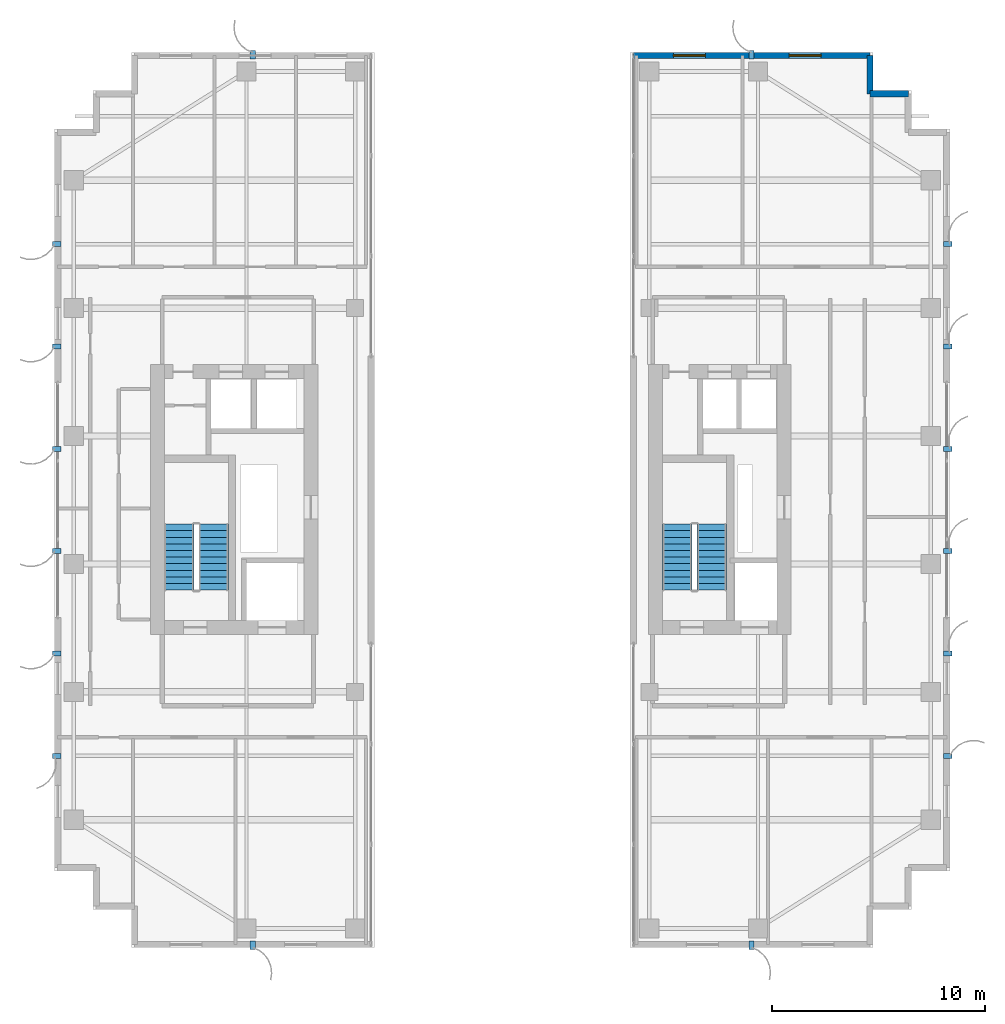
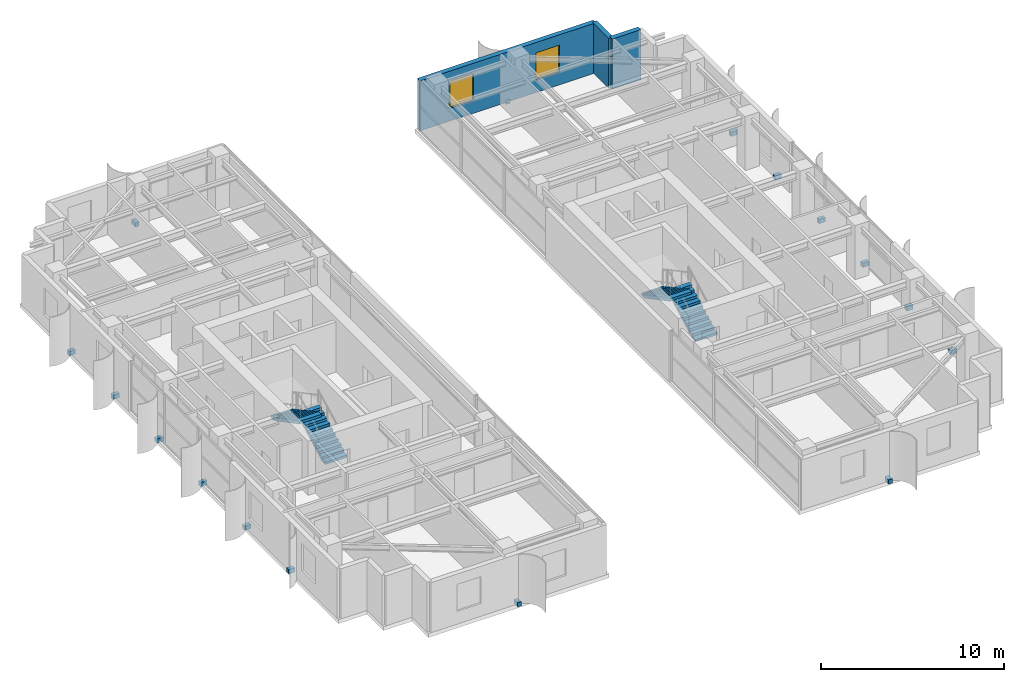
# One storey, part 19 of 22: 16 discrete accessories, 4 stair flights, 3 walls, 2 windows, 2 openings, 2 elements without a shape of their own.
"""IFC4 building model written with IfcOpenShell, lengths in metres."""

from ifc_helpers import new_model, si_unit, direction, frame, frame_2d, origin, origin_2d, place, context, subcontext, project, spatial, polyline, rectangle, outline, extrude, source, transform, mapped, material, layer, layer_set, type_object, element, fill, aggregate, save


model = new_model("IFC4")

# Units and contexts
model_context = context("Model", 3, precision=1e-05, world=origin(), true_north=direction((0.0, 1.0)))
body_context = subcontext(model_context, "Body", "Model", "MODEL_VIEW")
ifc_project = project(units=[si_unit("LENGTHUNIT", "METRE"), si_unit("AREAUNIT", "SQUARE_METRE"), si_unit("VOLUMEUNIT", "CUBIC_METRE"), si_unit("PLANEANGLEUNIT", "RADIAN"), si_unit("MASSUNIT", "GRAM", prefix="KILO")], contexts=[model_context])

# Site, building, storey
site_placement = place(None, origin())
site = spatial("IfcSite", under=ifc_project, at=site_placement, CompositionType="ELEMENT")
building_placement = place(site_placement, origin())
building = spatial("IfcBuilding", under=site, at=building_placement, Name="Khoralis Quay Care Tower", CompositionType="ELEMENT")
storey_placement = place(building_placement, frame((0.0, 0.0, 202.5)))
storey = spatial("IfcBuildingStorey", under=building, at=storey_placement, Name="L53", CompositionType="ELEMENT", Elevation=202.5)

# Walls
ifc_material_1 = material(Name="Precast concrete C45/55", Category="concrete")
ifc_layer = layer(ifc_material_1, 0.300048828125)
ifc_layer_set = layer_set([ifc_layer], Name="Precast concrete C45/55")
wall_type = type_object("IfcWallType", Name="WL-EXT-REF-300", PredefinedType="SOLIDWALL", material=ifc_layer_set)
for number, where, z_axis, x_axis, name in (
    (1, (43.050048828125, 40.050048828125, 0.0), (0.0, 0.0, 1.0), (-1.0, 0.0, 0.0), "L53 External Facade Wall WL-EXT-L53-P2-C8"),
    (2, (41.25, 40.050048828125, 0.0), (0.0, 0.0, 1.0), (0.0, 1.0, 0.0), "L53 External Facade Wall WL-EXT-L53-P2-C9"),
):
    element("IfcWall", number, at=place(storey_placement, frame(where, z_axis=z_axis, x_axis=x_axis)), inside=storey, type_object=wall_type, Name=name, PredefinedType="SOLIDWALL", context=body_context, shape_type="SweptSolid", body=[
        extrude(rectangle(XDim=1.800048828125, YDim=0.300048828125, at=frame_2d((0.89990234375, 0.0))), origin(), (0.0, 0.0, 1.0), 3.340087890625),
    ])

# Wall, openings, windows
wall_placement = place(storey_placement, frame((41.25, 41.85009765625, 0.0), z_axis=(0.0, 0.0, 1.0), x_axis=(-1.0, 0.0, 0.0)))
wall = element("IfcWall", 3, at=wall_placement, inside=storey, type_object=wall_type, Name="L53 External Facade Wall WL-EXT-L53-P2-E10", PredefinedType="SOLIDWALL", context=body_context, shape_type="SweptSolid", body=[
    extrude(rectangle(XDim=11.10009765625, YDim=0.300048828125, at=frame_2d((5.550048828125, 0.0))), origin(), (0.0, 0.0, 1.0), 3.340087890625),
])
opening_1_placement = place(wall_placement, frame((2.294921875, 0.0, 0.85009765625)))
opening_1 = element("IfcOpeningElement", 4, at=opening_1_placement, cuts=wall, Name="Opening W3", PredefinedType="OPENING", context=body_context, shape_type="SweptSolid", body=[
    extrude(rectangle(XDim=1.5, YDim=1.800048828125, at=frame_2d((0.75, 0.89990234375))), frame((0.0, 0.16015625, 0.0), z_axis=(0.0, -1.0, 0.0), x_axis=(1.0, 0.0, 0.0)), (0.0, 0.0, 1.0), 0.320068359375),
])
opening_2_placement = place(wall_placement, frame((7.719970703125, 0.0, 0.85009765625)))
opening_2 = element("IfcOpeningElement", 5, at=opening_2_placement, cuts=wall, Name="Opening W3", PredefinedType="OPENING", context=body_context, shape_type="SweptSolid", body=[
    extrude(rectangle(XDim=1.5, YDim=1.800048828125, at=frame_2d((0.75, 0.89990234375))), frame((0.0, 0.16015625, 0.0), z_axis=(0.0, -1.0, 0.0), x_axis=(1.0, 0.0, 0.0)), (0.0, 0.0, 1.0), 0.320068359375),
])
ifc_material_2 = material(Name="Low-E solar-control double glazing", Category="glass")
window_type = type_object("IfcWindowType", Name="WN-CLIN-1500X1800", PartitioningType="SINGLE_PANEL", PredefinedType="WINDOW", material=ifc_material_2)
shared_shape_1 = source(origin(), body_context, "Body", "SweptSolid", [
    extrude(rectangle(XDim=1.5, YDim=1.800048828125, at=frame_2d((0.75, 0.89990234375))), frame((0.0, 0.030029296875, 0.0), z_axis=(0.0, -1.0, 0.0), x_axis=(1.0, 0.0, 0.0)), (0.0, 0.0, 1.0), 0.06005859375),
])
window_1_placement = place(opening_1_placement, origin())
window_1 = element("IfcWindow", 6, at=window_1_placement, inside=storey, type_object=window_type, Name="WN-L53-P2-E10 Facade Window 01", OverallHeight=1.800048828125, OverallWidth=1.5, PartitioningType="SINGLE_PANEL", PredefinedType="WINDOW", context=body_context, shape_type="MappedRepresentation", body=[
    mapped(shared_shape_1, transform((0.0, 0.0, 0.0), scale=1.0)),
])
fill(opening_1, window_1)
window_2_placement = place(opening_2_placement, origin())
window_2 = element("IfcWindow", 7, at=window_2_placement, inside=storey, type_object=window_type, Name="WN-L53-P2-E10 Facade Window 02", OverallHeight=1.800048828125, OverallWidth=1.5, PartitioningType="SINGLE_PANEL", PredefinedType="WINDOW", context=body_context, shape_type="MappedRepresentation", body=[
    mapped(shared_shape_1, transform((0.0, 0.0, 0.0), scale=1.0)),
])
fill(opening_2, window_2)

# Stair, stair flights
stair_type = type_object("IfcStairType", Name="ST-TWR-DOGLEG-1400", PredefinedType="HALF_TURN_STAIR", material=ifc_material_1)
stair_1_placement = place(storey_placement, origin())
stair_1 = element("IfcStair", 8, at=stair_1_placement, inside=storey, type_object=stair_type, Name="L53 West Core Exit Stair ST-T1", PredefinedType="HALF_TURN_STAIR")
stair_flight_type = type_object("IfcStairFlightType", Name="SF-TWR-1400", PredefinedType="STRAIGHT", material=ifc_material_1)
shared_shape_2 = source(origin(), body_context, "Body", "SweptSolid", [
    extrude(outline(polyline([(0.0, 0.0), (0.0, 0.16357421875), (0.31005859375, 0.16357421875), (0.31005859375, 0.327392578125), (0.6201171875, 0.327392578125), (0.6201171875, 0.490966796875), (0.929931640625, 0.490966796875), (0.929931640625, 0.654541015625), (1.239990234375, 0.654541015625), (1.239990234375, 0.818115234375), (1.550048828125, 0.818115234375), (1.550048828125, 0.98193359375), (1.860107421875, 0.98193359375), (1.860107421875, 1.1455078125), (2.169921875, 1.1455078125), (2.169921875, 1.30908203125), (2.47998046875, 1.30908203125), (2.47998046875, 1.47265625), (2.7900390625, 1.47265625), (2.7900390625, 1.636474609375), (3.10009765625, 1.636474609375), (3.10009765625, 1.800048828125), (3.10009765625, 1.466796875), (0.321044921875, 0.0), (0.0, 0.0)])), frame((0.0, 0.68994140625, 0.0), z_axis=(0.0, -1.0, 0.0), x_axis=(1.0, 0.0, 0.0)), (0.0, 0.0, 1.0), 1.3798828125),
])
stair_flight_1_placement = place(storey_placement, frame((10.4599609375, 16.77001953125, 0.0), z_axis=(0.0, 0.0, 1.0), x_axis=(0.0, 1.0, 0.0)))
stair_flight_1 = element("IfcStairFlight", 9, at=stair_flight_1_placement, type_object=stair_flight_type, Name="ST-T1 flight 1", NumberOfRisers=11, NumberOfTreads=10, PredefinedType="STRAIGHT", RiserHeight=0.163636364, TreadLength=0.31, context=body_context, shape_type="MappedRepresentation", body=[
    mapped(shared_shape_2, transform((0.0, 0.0, 0.0), scale=1.0)),
])
stair_flight_2_placement = place(storey_placement, frame((8.840087890625, 19.8701171875, 1.800048828125), z_axis=(0.0, 0.0, 1.0), x_axis=(0.0, -1.0, 0.0)))
stair_flight_2 = element("IfcStairFlight", 10, at=stair_flight_2_placement, type_object=stair_flight_type, Name="ST-T1 flight 2", NumberOfRisers=11, NumberOfTreads=10, PredefinedType="STRAIGHT", RiserHeight=0.163636364, TreadLength=0.31, context=body_context, shape_type="MappedRepresentation", body=[
    mapped(shared_shape_2, transform((0.0, 0.0, 0.0), scale=1.0)),
])
aggregate(stair_1, [stair_flight_1, stair_flight_2])

stair_2_placement = place(storey_placement, origin())
stair_2 = element("IfcStair", 11, at=stair_2_placement, inside=storey, type_object=stair_type, Name="L53 East Core Exit Stair ST-T2", PredefinedType="HALF_TURN_STAIR")
stair_flight_3_placement = place(storey_placement, frame((33.830078125, 16.77001953125, 0.0), z_axis=(0.0, 0.0, 1.0), x_axis=(0.0, 1.0, 0.0)))
stair_flight_3 = element("IfcStairFlight", 12, at=stair_flight_3_placement, type_object=stair_flight_type, Name="ST-T2 flight 1", NumberOfRisers=11, NumberOfTreads=10, PredefinedType="STRAIGHT", RiserHeight=0.163636364, TreadLength=0.31, context=body_context, shape_type="MappedRepresentation", body=[
    mapped(shared_shape_2, transform((0.0, 0.0, 0.0), scale=1.0)),
])
stair_flight_4_placement = place(storey_placement, frame((32.2099609375, 19.8701171875, 1.800048828125), z_axis=(0.0, 0.0, 1.0), x_axis=(0.0, -1.0, 0.0)))
stair_flight_4 = element("IfcStairFlight", 13, at=stair_flight_4_placement, type_object=stair_flight_type, Name="ST-T2 flight 2", NumberOfRisers=11, NumberOfTreads=10, PredefinedType="STRAIGHT", RiserHeight=0.163636364, TreadLength=0.31, context=body_context, shape_type="MappedRepresentation", body=[
    mapped(shared_shape_2, transform((0.0, 0.0, 0.0), scale=1.0)),
])
aggregate(stair_2, [stair_flight_3, stair_flight_4])

# Discrete accessories
ifc_material_3 = material(Name="Brushed stainless steel", Category="steel")
discrete_accessory_type = type_object("IfcDiscreteAccessoryType", Name="ACC-FIN-BRACKET", PredefinedType="BRACKET", material=ifc_material_3)
shared_shape_3 = source(origin(), body_context, "Body", "SweptSolid", [
    extrude(rectangle(XDim=0.39990234375, YDim=0.239990234375, at=origin_2d()), origin(), (0.0, 0.0, 1.0), 0.280029296875),
])
for number, where, z_axis, x_axis, name in (
    (14, (12.300048828125, 0.110107421875, -0.1201171875), (0.0, 0.0, 1.0), (0.0, -1.0, 0.0), "L53 Solar Fin Bracket P1E0-01"),
    (15, (12.300048828125, 41.889892578125, -0.1201171875), (0.0, 0.0, 1.0), (0.0, 1.0, 0.0), "L53 Solar Fin Bracket P1E2-01"),
    (16, (3.110107421875, 33.0, -0.1201171875), (0.0, 0.0, 1.0), (-1.0, 0.0, 0.0), "L53 Solar Fin Bracket P1E7-01"),
    (17, (3.110107421875, 28.199951171875, -0.1201171875), (0.0, 0.0, 1.0), (-1.0, 0.0, 0.0), "L53 Solar Fin Bracket P1E7-02"),
    (18, (3.110107421875, 23.39990234375, -0.1201171875), (0.0, 0.0, 1.0), (-1.0, 0.0, 0.0), "L53 Solar Fin Bracket P1E7-03"),
    (19, (3.110107421875, 18.60009765625, -0.1201171875), (0.0, 0.0, 1.0), (-1.0, 0.0, 0.0), "L53 Solar Fin Bracket P1E7-04"),
    (20, (3.110107421875, 13.800048828125, -0.1201171875), (0.0, 0.0, 1.0), (-1.0, 0.0, 0.0), "L53 Solar Fin Bracket P1E7-05"),
    (21, (3.110107421875, 9.0, -0.1201171875), (0.0, 0.0, 1.0), (-1.0, 0.0, 0.0), "L53 Solar Fin Bracket P1E7-06"),
    (22, (35.699951171875, 0.110107421875, -0.1201171875), (0.0, 0.0, 1.0), (0.0, -1.0, 0.0), "L53 Solar Fin Bracket P2E0-01"),
    (23, (44.889892578125, 9.0, -0.1201171875), (0.0, 0.0, 1.0), (1.0, 0.0, 0.0), "L53 Solar Fin Bracket P2E5-01"),
    (24, (44.889892578125, 13.800048828125, -0.1201171875), (0.0, 0.0, 1.0), (1.0, 0.0, 0.0), "L53 Solar Fin Bracket P2E5-02"),
    (25, (44.889892578125, 18.60009765625, -0.1201171875), (0.0, 0.0, 1.0), (1.0, 0.0, 0.0), "L53 Solar Fin Bracket P2E5-03"),
    (26, (44.889892578125, 23.39990234375, -0.1201171875), (0.0, 0.0, 1.0), (1.0, 0.0, 0.0), "L53 Solar Fin Bracket P2E5-04"),
    (27, (44.889892578125, 28.199951171875, -0.1201171875), (0.0, 0.0, 1.0), (1.0, 0.0, 0.0), "L53 Solar Fin Bracket P2E5-05"),
    (28, (44.889892578125, 33.0, -0.1201171875), (0.0, 0.0, 1.0), (1.0, 0.0, 0.0), "L53 Solar Fin Bracket P2E5-06"),
    (29, (35.699951171875, 41.889892578125, -0.1201171875), (0.0, 0.0, 1.0), (0.0, 1.0, 0.0), "L53 Solar Fin Bracket P2E10-01"),
):
    element("IfcDiscreteAccessory", number, at=place(storey_placement, frame(where, z_axis=z_axis, x_axis=x_axis)), inside=storey, type_object=discrete_accessory_type, Name=name, PredefinedType="BRACKET", context=body_context, shape_type="MappedRepresentation", body=[
        mapped(shared_shape_3, transform((0.0, 0.0, 0.0), scale=1.0)),
    ])

save(model, "model.ifc")
